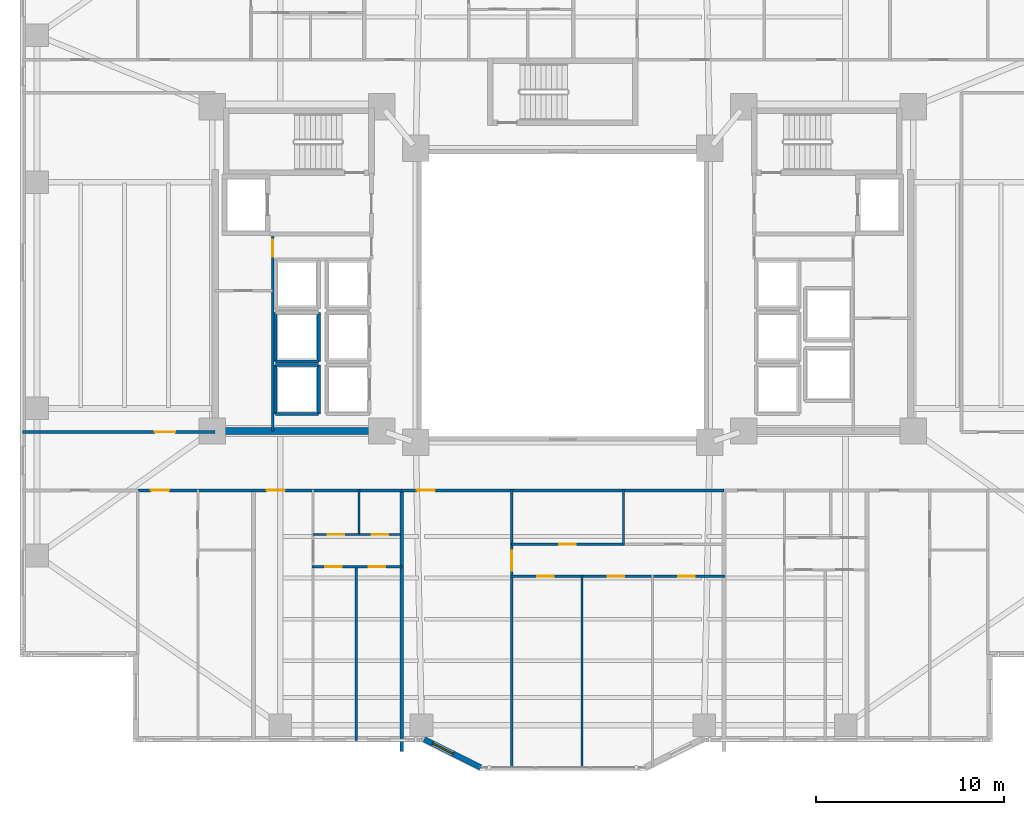
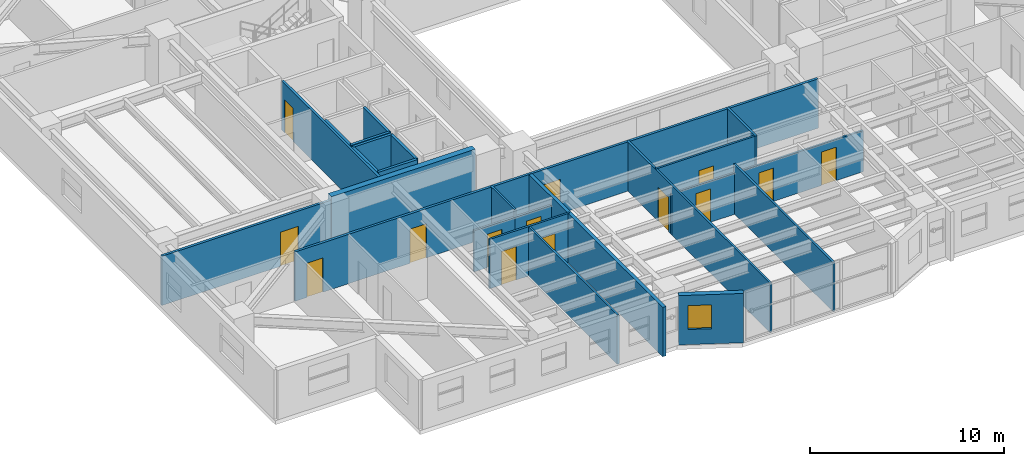
# One storey, part 10 of 21: 24 walls, 14 doors, 1 window, 15 openings.
"""IFC4 building model written with IfcOpenShell, lengths in metres."""

from ifc_helpers import new_model, si_unit, direction, frame, frame_2d, origin, place, context, subcontext, project, spatial, rectangle, extrude, material, layer, layer_set, type_object, element, fill, save


model = new_model("IFC4")

# Units and contexts
model_context = context("Model", 3, precision=1e-05, world=origin(), true_north=direction((0.0, 1.0)))
body_context = subcontext(model_context, "Body", "Model", "MODEL_VIEW")
ifc_project = project(units=[si_unit("LENGTHUNIT", "METRE"), si_unit("AREAUNIT", "SQUARE_METRE"), si_unit("VOLUMEUNIT", "CUBIC_METRE"), si_unit("PLANEANGLEUNIT", "RADIAN"), si_unit("MASSUNIT", "GRAM", prefix="KILO")], contexts=[model_context])

# Site, building, storey
site_placement = place(None, origin())
site = spatial("IfcSite", under=ifc_project, at=site_placement, CompositionType="ELEMENT")
building_placement = place(site_placement, origin())
building = spatial("IfcBuilding", under=site, at=building_placement, Name="Tarnavaz Court Tower", CompositionType="ELEMENT")
storey_placement = place(building_placement, frame((0.0, 0.0, 37.39990234375)))
storey = spatial("IfcBuildingStorey", under=building, at=storey_placement, Name="L09", CompositionType="ELEMENT", Elevation=37.39990234375)

# Wall
ifc_material_1 = material(Name="Concrete C60/75", Category="concrete")
ifc_layer_1 = layer(ifc_material_1, 0.35009765625)
ifc_layer_set_1 = layer_set([ifc_layer_1], Name="Concrete C60/75")
wall_type_1 = type_object("IfcWallType", Name="WL-CORE-350-C60", PredefinedType="SHEAR", material=ifc_layer_set_1)
wall_1_placement = place(storey_placement, frame((-18.625, -7.199951171875, 0.0), z_axis=(0.0, 0.0, 1.0), x_axis=(1.0, 0.0, 0.0)))
element("IfcWall", 1, at=wall_1_placement, inside=storey, type_object=wall_type_1, Name="L09 West Core South Shear Wall 070", PredefinedType="SHEAR", context=body_context, shape_type="SweptSolid", body=[
    extrude(rectangle(XDim=8.550048828125, YDim=0.35009765625, at=frame_2d((4.27490234375, 0.0))), origin(), (0.0, 0.0, 1.0), 3.35009765625),
])

# Wall, opening, window
ifc_material_2 = material(Name="Precast Concrete C40/50", Category="concrete")
ifc_layer_2 = layer(ifc_material_2, 0.300048828125)
ifc_layer_set_2 = layer_set([ifc_layer_2], Name="Precast Concrete C40/50")
wall_type_2 = type_object("IfcWallType", Name="WL-EXT-300", PredefinedType="SOLIDWALL", material=ifc_layer_set_2)
wall_2_placement = place(storey_placement, frame((-4.35009765625, -25.050048828125, 0.0), z_axis=(0.0, 0.0, 1.0), x_axis=(-0.894427191, 0.4472135955, 0.0)))
wall_2 = element("IfcWall", 2, at=wall_2_placement, inside=storey, type_object=wall_type_2, Name="L09 Exterior Terracotta Facade Wall 18", PredefinedType="SOLIDWALL", context=body_context, shape_type="SweptSolid", body=[
    extrude(rectangle(XDim=3.35400390625, YDim=0.300048828125, at=frame_2d((1.677001953125, 0.0))), origin(), (0.0, 0.0, 1.0), 3.10009765625),
])
opening_1_placement = place(wall_2_placement, frame((1.65283203125, 0.0, 0.949951171875)))
opening_1 = element("IfcOpeningElement", 3, at=opening_1_placement, cuts=wall_2, Name="Opening W05", PredefinedType="OPENING", context=body_context, shape_type="SweptSolid", body=[
    extrude(rectangle(XDim=1.199951171875, YDim=1.5, at=frame_2d((0.60009765625, 0.75))), frame((0.0, 0.159912109375, 0.0), z_axis=(0.0, -1.0, 0.0), x_axis=(1.0, 0.0, 0.0)), (0.0, 0.0, 1.0), 0.320068359375),
])
ifc_material_3 = material(Name="Double-Glazed Solar Low-E Glass", Category="glass")
window_type = type_object("IfcWindowType", Name="WN-APT-1200", PartitioningType="SINGLE_PANEL", PredefinedType="WINDOW", material=ifc_material_3)
window_placement = place(opening_1_placement, origin())
window = element("IfcWindow", 4, at=window_placement, inside=storey, type_object=window_type, Name="L09 Flat 07 Living and Dining Room Window", OverallHeight=1.5, OverallWidth=1.199951171875, PartitioningType="SINGLE_PANEL", PredefinedType="WINDOW", context=body_context, shape_type="SweptSolid", body=[
    extrude(rectangle(XDim=1.199951171875, YDim=1.5, at=frame_2d((0.60009765625, 0.75))), frame((0.0, 0.030029296875, 0.0), z_axis=(0.0, -1.0, 0.0), x_axis=(1.0, 0.0, 0.0)), (0.0, 0.0, 1.0), 0.06005859375),
])
fill(opening_1, window)

# Wall, openings, doors
ifc_material_4 = material(Name="Gypsum Fire-Board on Acoustic Metal Stud", Category="masonry")
ifc_layer_3 = layer(ifc_material_4, 0.14990234375)
ifc_layer_set_3 = layer_set([ifc_layer_3], Name="Gypsum Fire-Board on Acoustic Metal Stud")
wall_type_3 = type_object("IfcWallType", Name="WL-FIRE-150", PredefinedType="PARTITIONING", material=ifc_layer_set_3)
wall_3_placement = place(storey_placement, frame((-22.550048828125, -10.35009765625, 0.0), z_axis=(0.0, 0.0, 1.0), x_axis=(1.0, 0.0, 0.0)))
wall_3 = element("IfcWall", 5, at=wall_3_placement, inside=storey, type_object=wall_type_3, Name="L09 SW Corridor Wall 084", PredefinedType="PARTITIONING", context=body_context, shape_type="SweptSolid", body=[
    extrude(rectangle(XDim=14.0, YDim=0.14990234375, at=frame_2d((7.0, 0.0))), origin(), (0.0, 0.0, 1.0), 3.10009765625),
])
opening_2_placement = place(wall_3_placement, frame((0.699951171875, 0.0, 0.0)))
opening_2 = element("IfcOpeningElement", 6, at=opening_2_placement, cuts=wall_3, Name="Opening D06", PredefinedType="OPENING", context=body_context, shape_type="SweptSolid", body=[
    extrude(rectangle(XDim=0.9599609375, YDim=2.14990234375, at=frame_2d((0.47998046875, 1.074951171875))), frame((0.0, 0.0849609375, 0.0), z_axis=(0.0, -1.0, 0.0), x_axis=(1.0, 0.0, 0.0)), (0.0, 0.0, 1.0), 0.169921875),
])
opening_3_placement = place(wall_3_placement, frame((6.837890625, 0.0, 0.0)))
opening_3 = element("IfcOpeningElement", 7, at=opening_3_placement, cuts=wall_3, Name="Opening D06", PredefinedType="OPENING", context=body_context, shape_type="SweptSolid", body=[
    extrude(rectangle(XDim=0.9599609375, YDim=2.14990234375, at=frame_2d((0.47998046875, 1.074951171875))), frame((0.0, 0.0849609375, 0.0), z_axis=(0.0, -1.0, 0.0), x_axis=(1.0, 0.0, 0.0)), (0.0, 0.0, 1.0), 0.169921875),
])
ifc_material_5 = material(Name="Fire-Rated Hardwood Timber Core", Category="wood")
door_type_1 = type_object("IfcDoorType", Name="DR-FD60-950", OperationType="NOTDEFINED", PredefinedType="DOOR", material=ifc_material_5)
door_1_placement = place(opening_2_placement, origin())
door_1 = element("IfcDoor", 8, at=door_1_placement, inside=storey, type_object=door_type_1, Name="L09 Flat 03 Entrance Door", OperationType="SINGLE_SWING_LEFT", OverallHeight=2.14990234375, OverallWidth=0.9599609375, PredefinedType="DOOR", context=body_context, shape_type="SweptSolid", body=[
    extrude(rectangle(XDim=0.9599609375, YDim=2.14990234375, at=frame_2d((0.47998046875, 1.074951171875))), frame((0.0, 0.02490234375, 0.0), z_axis=(0.0, -1.0, 0.0), x_axis=(1.0, 0.0, 0.0)), (0.0, 0.0, 1.0), 0.050048828125),
])
fill(opening_2, door_1)
door_2_placement = place(opening_3_placement, origin())
door_2 = element("IfcDoor", 9, at=door_2_placement, inside=storey, type_object=door_type_1, Name="L09 Flat 04 Entrance Door", OperationType="SINGLE_SWING_RIGHT", OverallHeight=2.14990234375, OverallWidth=0.9599609375, PredefinedType="DOOR", context=body_context, shape_type="SweptSolid", body=[
    extrude(rectangle(XDim=0.9599609375, YDim=2.14990234375, at=frame_2d((0.47998046875, 1.074951171875))), frame((0.0, 0.02490234375, 0.0), z_axis=(0.0, -1.0, 0.0), x_axis=(1.0, 0.0, 0.0)), (0.0, 0.0, 1.0), 0.050048828125),
])
fill(opening_3, door_2)

# Wall, opening, door
wall_4_placement = place(storey_placement, frame((-8.550048828125, -10.35009765625, 0.0), z_axis=(0.0, 0.0, 1.0), x_axis=(1.0, 0.0, 0.0)))
wall_4 = element("IfcWall", 10, at=wall_4_placement, inside=storey, type_object=wall_type_3, Name="L09 South Ring Corridor Wall 085", PredefinedType="PARTITIONING", context=body_context, shape_type="SweptSolid", body=[
    extrude(rectangle(XDim=17.10009765625, YDim=0.14990234375, at=frame_2d((8.550048828125, 0.0))), origin(), (0.0, 0.0, 1.0), 3.10009765625),
])
opening_4_placement = place(wall_4_placement, frame((0.800048828125, 0.0, 0.0)))
opening_4 = element("IfcOpeningElement", 11, at=opening_4_placement, cuts=wall_4, Name="Opening D06", PredefinedType="OPENING", context=body_context, shape_type="SweptSolid", body=[
    extrude(rectangle(XDim=0.9599609375, YDim=2.14990234375, at=frame_2d((0.47998046875, 1.074951171875))), frame((0.0, 0.0849609375, 0.0), z_axis=(0.0, -1.0, 0.0), x_axis=(1.0, 0.0, 0.0)), (0.0, 0.0, 1.0), 0.169921875),
])
door_3_placement = place(opening_4_placement, origin())
door_3 = element("IfcDoor", 12, at=door_3_placement, inside=storey, type_object=door_type_1, Name="L09 Flat 07 Entrance Door", OperationType="SINGLE_SWING_LEFT", OverallHeight=2.14990234375, OverallWidth=0.9599609375, PredefinedType="DOOR", context=body_context, shape_type="SweptSolid", body=[
    extrude(rectangle(XDim=0.9599609375, YDim=2.14990234375, at=frame_2d((0.47998046875, 1.074951171875))), frame((0.0, 0.02490234375, 0.0), z_axis=(0.0, -1.0, 0.0), x_axis=(1.0, 0.0, 0.0)), (0.0, 0.0, 1.0), 0.050048828125),
])
fill(opening_4, door_3)

wall_5_placement = place(storey_placement, frame((-28.679931640625, -7.25, 0.0), z_axis=(0.0, 0.0, 1.0), x_axis=(1.0, 0.0, 0.0)))
wall_5 = element("IfcWall", 13, at=wall_5_placement, inside=storey, type_object=wall_type_3, Name="L09 Interior Partition 133", PredefinedType="PARTITIONING", context=body_context, shape_type="SweptSolid", body=[
    extrude(rectangle(XDim=10.22998046875, YDim=0.14990234375, at=frame_2d((5.114990234375, 0.0))), origin(), (0.0, 0.0, 1.0), 3.10009765625),
])
opening_5_placement = place(wall_5_placement, frame((7.030029296875, 0.0, 0.0)))
opening_5 = element("IfcOpeningElement", 14, at=opening_5_placement, cuts=wall_5, Name="Opening D12", PredefinedType="OPENING", context=body_context, shape_type="SweptSolid", body=[
    extrude(rectangle(XDim=1.080078125, YDim=2.14990234375, at=frame_2d((0.5400390625, 1.074951171875))), frame((0.0, 0.0849609375, 0.0), z_axis=(0.0, -1.0, 0.0), x_axis=(1.0, 0.0, 0.0)), (0.0, 0.0, 1.0), 0.169921875),
])
ifc_material_6 = material(Name="Engineered Oak Timber", Category="wood")
door_type_2 = type_object("IfcDoorType", Name="DR-INT-1100", OperationType="NOTDEFINED", PredefinedType="DOOR", material=ifc_material_6)
door_4_placement = place(opening_5_placement, origin())
door_4 = element("IfcDoor", 15, at=door_4_placement, inside=storey, type_object=door_type_2, Name="L09 West Meeting Lounge Door", OperationType="SINGLE_SWING_RIGHT", OverallHeight=2.14990234375, OverallWidth=1.080078125, PredefinedType="DOOR", context=body_context, shape_type="SweptSolid", body=[
    extrude(rectangle(XDim=1.080078125, YDim=2.14990234375, at=frame_2d((0.5400390625, 1.074951171875))), frame((0.0, 0.02490234375, 0.0), z_axis=(0.0, -1.0, 0.0), x_axis=(1.0, 0.0, 0.0)), (0.0, 0.0, 1.0), 0.050048828125),
])
fill(opening_5, door_4)

# Wall
ifc_material_7 = material(Name="Autoclaved Aerated Concrete Blockwork", Category="masonry")
ifc_layer_4 = layer(ifc_material_7, 0.199951171875)
ifc_layer_set_4 = layer_set([ifc_layer_4], Name="Autoclaved Aerated Concrete Blockwork")
wall_type_4 = type_object("IfcWallType", Name="WL-FIRE-200", PredefinedType="SOLIDWALL", material=ifc_layer_set_4)
wall_6_placement = place(storey_placement, frame((-8.550048828125, -24.2041015625, 0.0), z_axis=(0.0, 0.0, 1.0), x_axis=(0.0, 1.0, 0.0)))
element("IfcWall", 16, at=wall_6_placement, inside=storey, type_object=wall_type_4, Name="L09 Party Wall 124", PredefinedType="SOLIDWALL", context=body_context, shape_type="SweptSolid", body=[
    extrude(rectangle(XDim=13.85400390625, YDim=0.199951171875, at=frame_2d((6.927001953125, 0.0))), origin(), (0.0, 0.0, 1.0), 3.10009765625),
])

# Wall, opening, door
ifc_material_8 = material(Name="Moisture-Resistant Gypsum Board Partition", Category="masonry")
ifc_layer_5 = layer(ifc_material_8, 0.1201171875)
ifc_layer_set_5 = layer_set([ifc_layer_5], Name="Moisture-Resistant Gypsum Board Partition")
wall_type_5 = type_object("IfcWallType", Name="WL-PART-120", PredefinedType="PARTITIONING", material=ifc_layer_set_5)
wall_7_placement = place(storey_placement, frame((-13.251953125, -12.68994140625, 0.0), z_axis=(0.0, 0.0, 1.0), x_axis=(1.0, 0.0, 0.0)))
wall_7 = element("IfcWall", 17, at=wall_7_placement, inside=storey, type_object=wall_type_5, Name="L09 Interior Partition 109", PredefinedType="PARTITIONING", context=body_context, shape_type="SweptSolid", body=[
    extrude(rectangle(XDim=2.433837890625, YDim=0.1201171875, at=frame_2d((1.216796875, 0.0))), origin(), (0.0, 0.0, 1.0), 2.585205078125),
])
opening_6_placement = place(wall_7_placement, frame((0.777099609375, 0.0, 0.0)))
opening_6 = element("IfcOpeningElement", 18, at=opening_6_placement, cuts=wall_7, Name="Opening D14", PredefinedType="OPENING", context=body_context, shape_type="SweptSolid", body=[
    extrude(rectangle(XDim=0.8798828125, YDim=2.10009765625, at=frame_2d((0.43994140625, 1.050048828125))), frame((0.0, 0.070068359375, 0.0), z_axis=(0.0, -1.0, 0.0), x_axis=(1.0, 0.0, 0.0)), (0.0, 0.0, 1.0), 0.14013671875),
])
door_type_3 = type_object("IfcDoorType", Name="DR-INT-900", OperationType="NOTDEFINED", PredefinedType="DOOR", material=ifc_material_6)
door_5_placement = place(opening_6_placement, origin())
door_5 = element("IfcDoor", 19, at=door_5_placement, inside=storey, type_object=door_type_3, Name="L09 Flat 04 Kitchen Door", OperationType="SINGLE_SWING_RIGHT", OverallHeight=2.10009765625, OverallWidth=0.8798828125, PredefinedType="DOOR", context=body_context, shape_type="SweptSolid", body=[
    extrude(rectangle(XDim=0.8798828125, YDim=2.10009765625, at=frame_2d((0.43994140625, 1.050048828125))), frame((0.0, 0.02490234375, 0.0), z_axis=(0.0, -1.0, 0.0), x_axis=(1.0, 0.0, 0.0)), (0.0, 0.0, 1.0), 0.050048828125),
])
fill(opening_6, door_5)

wall_8_placement = place(storey_placement, frame((-10.818115234375, -12.68994140625, 0.0), z_axis=(0.0, 0.0, 1.0), x_axis=(1.0, 0.0, 0.0)))
wall_8 = element("IfcWall", 20, at=wall_8_placement, inside=storey, type_object=wall_type_5, Name="L09 Interior Partition 110", PredefinedType="PARTITIONING", context=body_context, shape_type="SweptSolid", body=[
    extrude(rectangle(XDim=2.218017578125, YDim=0.1201171875, at=frame_2d((1.10888671875, 0.0))), origin(), (0.0, 0.0, 1.0), 2.585205078125),
])
opening_7_placement = place(wall_8_placement, frame((0.6689453125, 0.0, 0.0)))
opening_7 = element("IfcOpeningElement", 21, at=opening_7_placement, cuts=wall_8, Name="Opening D14", PredefinedType="OPENING", context=body_context, shape_type="SweptSolid", body=[
    extrude(rectangle(XDim=0.8798828125, YDim=2.10009765625, at=frame_2d((0.43994140625, 1.050048828125))), frame((0.0, 0.070068359375, 0.0), z_axis=(0.0, -1.0, 0.0), x_axis=(1.0, 0.0, 0.0)), (0.0, 0.0, 1.0), 0.14013671875),
])
door_6_placement = place(opening_7_placement, origin())
door_6 = element("IfcDoor", 22, at=door_6_placement, inside=storey, type_object=door_type_3, Name="L09 Flat 04 Bathroom Door", OperationType="SINGLE_SWING_LEFT", OverallHeight=2.10009765625, OverallWidth=0.8798828125, PredefinedType="DOOR", context=body_context, shape_type="SweptSolid", body=[
    extrude(rectangle(XDim=0.8798828125, YDim=2.10009765625, at=frame_2d((0.43994140625, 1.050048828125))), frame((0.0, 0.02490234375, 0.0), z_axis=(0.0, -1.0, 0.0), x_axis=(1.0, 0.0, 0.0)), (0.0, 0.0, 1.0), 0.050048828125),
])
fill(opening_7, door_6)

# Wall, openings, doors
wall_9_placement = place(storey_placement, frame((-13.31201171875, -14.39990234375, 0.0), z_axis=(0.0, 0.0, 1.0), x_axis=(1.0, 0.0, 0.0)))
wall_9 = element("IfcWall", 23, at=wall_9_placement, inside=storey, type_object=wall_type_5, Name="L09 Interior Partition 111", PredefinedType="PARTITIONING", context=body_context, shape_type="SweptSolid", body=[
    extrude(rectangle(XDim=4.77197265625, YDim=0.1201171875, at=frame_2d((2.385986328125, 0.0))), origin(), (0.0, 0.0, 1.0), 3.10009765625),
])
opening_8_placement = place(wall_9_placement, frame((0.7080078125, 0.0, 0.0)))
opening_8 = element("IfcOpeningElement", 24, at=opening_8_placement, cuts=wall_9, Name="Opening D14", PredefinedType="OPENING", context=body_context, shape_type="SweptSolid", body=[
    extrude(rectangle(XDim=0.8798828125, YDim=2.10009765625, at=frame_2d((0.43994140625, 1.050048828125))), frame((0.0, 0.070068359375, 0.0), z_axis=(0.0, -1.0, 0.0), x_axis=(1.0, 0.0, 0.0)), (0.0, 0.0, 1.0), 0.14013671875),
])
opening_9_placement = place(wall_9_placement, frame((3.00390625, 0.0, 0.0)))
opening_9 = element("IfcOpeningElement", 25, at=opening_9_placement, cuts=wall_9, Name="Opening D14", PredefinedType="OPENING", context=body_context, shape_type="SweptSolid", body=[
    extrude(rectangle(XDim=0.8798828125, YDim=2.10009765625, at=frame_2d((0.43994140625, 1.050048828125))), frame((0.0, 0.070068359375, 0.0), z_axis=(0.0, -1.0, 0.0), x_axis=(1.0, 0.0, 0.0)), (0.0, 0.0, 1.0), 0.14013671875),
])
door_7_placement = place(opening_8_placement, origin())
door_7 = element("IfcDoor", 26, at=door_7_placement, inside=storey, type_object=door_type_3, Name="L09 Flat 04 Bedroom 1 Door", OperationType="SINGLE_SWING_RIGHT", OverallHeight=2.10009765625, OverallWidth=0.8798828125, PredefinedType="DOOR", context=body_context, shape_type="SweptSolid", body=[
    extrude(rectangle(XDim=0.8798828125, YDim=2.10009765625, at=frame_2d((0.43994140625, 1.050048828125))), frame((0.0, 0.02490234375, 0.0), z_axis=(0.0, -1.0, 0.0), x_axis=(1.0, 0.0, 0.0)), (0.0, 0.0, 1.0), 0.050048828125),
])
fill(opening_8, door_7)
door_8_placement = place(opening_9_placement, origin())
door_8 = element("IfcDoor", 27, at=door_8_placement, inside=storey, type_object=door_type_3, Name="L09 Flat 04 Bedroom 2 Door", OperationType="SINGLE_SWING_LEFT", OverallHeight=2.10009765625, OverallWidth=0.8798828125, PredefinedType="DOOR", context=body_context, shape_type="SweptSolid", body=[
    extrude(rectangle(XDim=0.8798828125, YDim=2.10009765625, at=frame_2d((0.43994140625, 1.050048828125))), frame((0.0, 0.02490234375, 0.0), z_axis=(0.0, -1.0, 0.0), x_axis=(1.0, 0.0, 0.0)), (0.0, 0.0, 1.0), 0.050048828125),
])
fill(opening_9, door_8)

# Walls
wall_10_placement = place(storey_placement, frame((-10.818115234375, -12.75, 0.0), z_axis=(0.0, 0.0, 1.0), x_axis=(0.0, 1.0, 0.0)))
element("IfcWall", 28, at=wall_10_placement, inside=storey, type_object=wall_type_5, Name="L09 Interior Partition 112", PredefinedType="PARTITIONING", context=body_context, shape_type="SweptSolid", body=[
    extrude(rectangle(XDim=2.4599609375, YDim=0.1201171875, at=frame_2d((1.22998046875, 0.0))), origin(), (0.0, 0.0, 1.0), 3.10009765625),
])
wall_11_placement = place(storey_placement, frame((-10.9560546875, -23.611083984375, 0.0), z_axis=(0.0, 0.0, 1.0), x_axis=(0.0, 1.0, 0.0)))
element("IfcWall", 29, at=wall_11_placement, inside=storey, type_object=wall_type_5, Name="L09 Interior Partition 113", PredefinedType="PARTITIONING", context=body_context, shape_type="SweptSolid", body=[
    extrude(rectangle(XDim=9.27099609375, YDim=0.1201171875, at=frame_2d((4.635498046875, 0.0))), origin(), (0.0, 0.0, 1.0), 3.10009765625),
])

# Wall, opening, door
wall_12_placement = place(storey_placement, frame((-2.717041015625, -25.080078125, 0.0), z_axis=(0.0, 0.0, 1.0), x_axis=(0.0, 1.0, 0.0)))
wall_12 = element("IfcWall", 30, at=wall_12_placement, inside=storey, type_object=wall_type_5, Name="L09 Interior Partition 126", PredefinedType="PARTITIONING", context=body_context, shape_type="SweptSolid", body=[
    extrude(rectangle(XDim=14.7900390625, YDim=0.1201171875, at=frame_2d((7.39501953125, 0.0))), origin(), (0.0, 0.0, 1.0), 3.10009765625),
])
opening_10_placement = place(wall_12_placement, frame((10.455078125, 0.0, 0.0)))
opening_10 = element("IfcOpeningElement", 31, at=opening_10_placement, cuts=wall_12, Name="Opening D12", PredefinedType="OPENING", context=body_context, shape_type="SweptSolid", body=[
    extrude(rectangle(XDim=1.080078125, YDim=2.14990234375, at=frame_2d((0.5400390625, 1.074951171875))), frame((0.0, 0.070068359375, 0.0), z_axis=(0.0, -1.0, 0.0), x_axis=(1.0, 0.0, 0.0)), (0.0, 0.0, 1.0), 0.14013671875),
])
door_9_placement = place(opening_10_placement, origin())
door_9 = element("IfcDoor", 32, at=door_9_placement, inside=storey, type_object=door_type_2, Name="L09 Flat 07 Foyer Door", OperationType="SINGLE_SWING_RIGHT", OverallHeight=2.14990234375, OverallWidth=1.080078125, PredefinedType="DOOR", context=body_context, shape_type="SweptSolid", body=[
    extrude(rectangle(XDim=1.080078125, YDim=2.14990234375, at=frame_2d((0.5400390625, 1.074951171875))), frame((0.0, 0.02490234375, 0.0), z_axis=(0.0, -1.0, 0.0), x_axis=(1.0, 0.0, 0.0)), (0.0, 0.0, 1.0), 0.050048828125),
])
fill(opening_10, door_9)

wall_13_placement = place(storey_placement, frame((-2.717041015625, -13.199951171875, 0.0), z_axis=(0.0, 0.0, 1.0), x_axis=(1.0, 0.0, 0.0)))
wall_13 = element("IfcWall", 33, at=wall_13_placement, inside=storey, type_object=wall_type_5, Name="L09 Interior Partition 127", PredefinedType="PARTITIONING", context=body_context, shape_type="SweptSolid", body=[
    extrude(rectangle(XDim=5.93994140625, YDim=0.1201171875, at=frame_2d((2.969970703125, 0.0))), origin(), (0.0, 0.0, 1.0), 3.10009765625),
])
opening_11_placement = place(wall_13_placement, frame((2.530029296875, 0.0, 0.0)))
opening_11 = element("IfcOpeningElement", 34, at=opening_11_placement, cuts=wall_13, Name="Opening D14", PredefinedType="OPENING", context=body_context, shape_type="SweptSolid", body=[
    extrude(rectangle(XDim=0.8798828125, YDim=2.10009765625, at=frame_2d((0.43994140625, 1.050048828125))), frame((0.0, 0.070068359375, 0.0), z_axis=(0.0, -1.0, 0.0), x_axis=(1.0, 0.0, 0.0)), (0.0, 0.0, 1.0), 0.14013671875),
])
door_10_placement = place(opening_11_placement, origin())
door_10 = element("IfcDoor", 35, at=door_10_placement, inside=storey, type_object=door_type_3, Name="L09 Flat 07 Kitchen Door", OperationType="SINGLE_SWING_LEFT", OverallHeight=2.10009765625, OverallWidth=0.8798828125, PredefinedType="DOOR", context=body_context, shape_type="SweptSolid", body=[
    extrude(rectangle(XDim=0.8798828125, YDim=2.10009765625, at=frame_2d((0.43994140625, 1.050048828125))), frame((0.0, 0.02490234375, 0.0), z_axis=(0.0, -1.0, 0.0), x_axis=(1.0, 0.0, 0.0)), (0.0, 0.0, 1.0), 0.050048828125),
])
fill(opening_11, door_10)

# Wall, openings, doors
wall_14_placement = place(storey_placement, frame((-2.777099609375, -14.909912109375, 0.0), z_axis=(0.0, 0.0, 1.0), x_axis=(1.0, 0.0, 0.0)))
wall_14 = element("IfcWall", 36, at=wall_14_placement, inside=storey, type_object=wall_type_5, Name="L09 Interior Partition 129", PredefinedType="PARTITIONING", context=body_context, shape_type="SweptSolid", body=[
    extrude(rectangle(XDim=11.38720703125, YDim=0.1201171875, at=frame_2d((5.693603515625, 0.0))), origin(), (0.0, 0.0, 1.0), 2.585205078125),
])
opening_12_placement = place(wall_14_placement, frame((1.427978515625, 0.0, 0.0)))
opening_12 = element("IfcOpeningElement", 37, at=opening_12_placement, cuts=wall_14, Name="Opening D14", PredefinedType="OPENING", context=body_context, shape_type="SweptSolid", body=[
    extrude(rectangle(XDim=0.8798828125, YDim=2.10009765625, at=frame_2d((0.43994140625, 1.050048828125))), frame((0.0, 0.070068359375, 0.0), z_axis=(0.0, -1.0, 0.0), x_axis=(1.0, 0.0, 0.0)), (0.0, 0.0, 1.0), 0.14013671875),
])
opening_13_placement = place(wall_14_placement, frame((5.1640625, 0.0, 0.0)))
opening_13 = element("IfcOpeningElement", 38, at=opening_13_placement, cuts=wall_14, Name="Opening D14", PredefinedType="OPENING", context=body_context, shape_type="SweptSolid", body=[
    extrude(rectangle(XDim=0.8798828125, YDim=2.10009765625, at=frame_2d((0.43994140625, 1.050048828125))), frame((0.0, 0.070068359375, 0.0), z_axis=(0.0, -1.0, 0.0), x_axis=(1.0, 0.0, 0.0)), (0.0, 0.0, 1.0), 0.14013671875),
])
opening_14_placement = place(wall_14_placement, frame((8.89892578125, 0.0, 0.0)))
opening_14 = element("IfcOpeningElement", 39, at=opening_14_placement, cuts=wall_14, Name="Opening D14", PredefinedType="OPENING", context=body_context, shape_type="SweptSolid", body=[
    extrude(rectangle(XDim=0.8798828125, YDim=2.10009765625, at=frame_2d((0.43994140625, 1.050048828125))), frame((0.0, 0.070068359375, 0.0), z_axis=(0.0, -1.0, 0.0), x_axis=(1.0, 0.0, 0.0)), (0.0, 0.0, 1.0), 0.14013671875),
])
door_11_placement = place(opening_12_placement, origin())
door_11 = element("IfcDoor", 40, at=door_11_placement, inside=storey, type_object=door_type_3, Name="L09 Flat 07 Bedroom 1 Door", OperationType="SINGLE_SWING_LEFT", OverallHeight=2.10009765625, OverallWidth=0.8798828125, PredefinedType="DOOR", context=body_context, shape_type="SweptSolid", body=[
    extrude(rectangle(XDim=0.8798828125, YDim=2.10009765625, at=frame_2d((0.43994140625, 1.050048828125))), frame((0.0, 0.02490234375, 0.0), z_axis=(0.0, -1.0, 0.0), x_axis=(1.0, 0.0, 0.0)), (0.0, 0.0, 1.0), 0.050048828125),
])
fill(opening_12, door_11)
door_12_placement = place(opening_13_placement, origin())
door_12 = element("IfcDoor", 41, at=door_12_placement, inside=storey, type_object=door_type_3, Name="L09 Flat 07 Bedroom 2 Door", OperationType="SINGLE_SWING_RIGHT", OverallHeight=2.10009765625, OverallWidth=0.8798828125, PredefinedType="DOOR", context=body_context, shape_type="SweptSolid", body=[
    extrude(rectangle(XDim=0.8798828125, YDim=2.10009765625, at=frame_2d((0.43994140625, 1.050048828125))), frame((0.0, 0.02490234375, 0.0), z_axis=(0.0, -1.0, 0.0), x_axis=(1.0, 0.0, 0.0)), (0.0, 0.0, 1.0), 0.050048828125),
])
fill(opening_13, door_12)
door_13_placement = place(opening_14_placement, origin())
door_13 = element("IfcDoor", 42, at=door_13_placement, inside=storey, type_object=door_type_3, Name="L09 Flat 07 Bedroom 3 Door", OperationType="SINGLE_SWING_LEFT", OverallHeight=2.10009765625, OverallWidth=0.8798828125, PredefinedType="DOOR", context=body_context, shape_type="SweptSolid", body=[
    extrude(rectangle(XDim=0.8798828125, YDim=2.10009765625, at=frame_2d((0.43994140625, 1.050048828125))), frame((0.0, 0.02490234375, 0.0), z_axis=(0.0, -1.0, 0.0), x_axis=(1.0, 0.0, 0.0)), (0.0, 0.0, 1.0), 0.050048828125),
])
fill(opening_14, door_13)

# Walls
wall_15_placement = place(storey_placement, frame((3.222900390625, -13.260009765625, 0.0), z_axis=(0.0, 0.0, 1.0), x_axis=(0.0, 1.0, 0.0)))
element("IfcWall", 43, at=wall_15_placement, inside=storey, type_object=wall_type_5, Name="L09 Interior Partition 130", PredefinedType="PARTITIONING", context=body_context, shape_type="SweptSolid", body=[
    extrude(rectangle(XDim=2.969970703125, YDim=0.1201171875, at=frame_2d((1.48486328125, 0.0))), origin(), (0.0, 0.0, 1.0), 3.10009765625),
])
wall_16_placement = place(storey_placement, frame((1.01904296875, -25.080078125, 0.0), z_axis=(0.0, 0.0, 1.0), x_axis=(0.0, 1.0, 0.0)))
element("IfcWall", 44, at=wall_16_placement, inside=storey, type_object=wall_type_5, Name="L09 Interior Partition 131", PredefinedType="PARTITIONING", context=body_context, shape_type="SweptSolid", body=[
    extrude(rectangle(XDim=10.22998046875, YDim=0.1201171875, at=frame_2d((5.114990234375, 0.0))), origin(), (0.0, 0.0, 1.0), 3.10009765625),
])

# Wall, opening, door
ifc_material_9 = material(Name="Gypsum Plasterboard Acoustic Partition", Category="masonry")
ifc_layer_6 = layer(ifc_material_9, 0.139892578125)
ifc_layer_set_6 = layer_set([ifc_layer_6], Name="Gypsum Plasterboard Acoustic Partition")
wall_type_6 = type_object("IfcWallType", Name="WL-PART-150", PredefinedType="PARTITIONING", material=ifc_layer_set_6)
wall_17_placement = place(storey_placement, frame((-15.39990234375, -7.199951171875, 0.0), z_axis=(0.0, 0.0, 1.0), x_axis=(0.0, 1.0, 0.0)))
wall_17 = element("IfcWall", 45, at=wall_17_placement, inside=storey, type_object=wall_type_6, Name="L09 Interior Partition 075", PredefinedType="PARTITIONING", context=body_context, shape_type="SweptSolid", body=[
    extrude(rectangle(XDim=10.449951171875, YDim=0.139892578125, at=frame_2d((5.22509765625, 0.0))), origin(), (0.0, 0.0, 1.0), 3.10009765625),
])
opening_15_placement = place(wall_17_placement, frame((9.25, 0.0, 0.0)))
opening_15 = element("IfcOpeningElement", 46, at=opening_15_placement, cuts=wall_17, Name="Opening D09", PredefinedType="OPENING", context=body_context, shape_type="SweptSolid", body=[
    extrude(rectangle(XDim=0.89990234375, YDim=2.080078125, at=frame_2d((0.449951171875, 1.0400390625))), frame((0.0, 0.079833984375, 0.0), z_axis=(0.0, -1.0, 0.0), x_axis=(1.0, 0.0, 0.0)), (0.0, 0.0, 1.0), 0.159912109375),
])
door_type_4 = type_object("IfcDoorType", Name="DR-FD30-900", OperationType="NOTDEFINED", PredefinedType="DOOR", material=ifc_material_5)
door_14_placement = place(opening_15_placement, origin())
door_14 = element("IfcDoor", 47, at=door_14_placement, inside=storey, type_object=door_type_4, Name="L09 West Data Room Door", OperationType="SINGLE_SWING_RIGHT", OverallHeight=2.080078125, OverallWidth=0.89990234375, PredefinedType="DOOR", context=body_context, shape_type="SweptSolid", body=[
    extrude(rectangle(XDim=0.89990234375, YDim=2.080078125, at=frame_2d((0.449951171875, 1.0400390625))), frame((0.0, 0.02490234375, 0.0), z_axis=(0.0, -1.0, 0.0), x_axis=(1.0, 0.0, 0.0)), (0.0, 0.0, 1.0), 0.050048828125),
])
fill(opening_15, door_14)

# Walls
ifc_layer_7 = layer(ifc_material_7, 0.159912109375)
ifc_layer_set_7 = layer_set([ifc_layer_7], Name="Autoclaved Aerated Concrete Blockwork")
wall_type_7 = type_object("IfcWallType", Name="WL-SHAFT-150", PredefinedType="SOLIDWALL", material=ifc_layer_set_7)
for number, where, z_axis, x_axis, name in (
    (48, (-15.25, -6.300048828125, 0.0), (0.0, 0.0, 1.0), (0.0, 1.0, 0.0), "L09 Lift PL-H1 Shaft Wall 033"),
    (49, (-12.949951171875, -6.300048828125, 0.0), (0.0, 0.0, 1.0), (0.0, 1.0, 0.0), "L09 Lift PL-H1 Shaft Wall 034"),
):
    element("IfcWall", number, at=place(storey_placement, frame(where, z_axis=z_axis, x_axis=x_axis)), inside=storey, type_object=wall_type_7, Name=name, PredefinedType="SOLIDWALL", context=body_context, shape_type="SweptSolid", body=[
        extrude(rectangle(XDim=2.60009765625, YDim=0.159912109375, at=frame_2d((1.300048828125, 0.0))), origin(), (0.0, 0.0, 1.0), 3.10009765625),
    ])
for number, where, z_axis, x_axis, name in (
    (50, (-15.25, -6.300048828125, 0.0), (0.0, 0.0, 1.0), (1.0, 0.0, 0.0), "L09 Lift PL-H1 Shaft Wall 035"),
    (51, (-15.25, -3.699951171875, 0.0), (0.0, 0.0, 1.0), (1.0, 0.0, 0.0), "L09 Lift PL-H1 Shaft Wall 036"),
):
    element("IfcWall", number, at=place(storey_placement, frame(where, z_axis=z_axis, x_axis=x_axis)), inside=storey, type_object=wall_type_7, Name=name, PredefinedType="SOLIDWALL", context=body_context, shape_type="SweptSolid", body=[
        extrude(rectangle(XDim=2.300048828125, YDim=0.159912109375, at=frame_2d((1.14990234375, 0.0))), origin(), (0.0, 0.0, 1.0), 3.10009765625),
    ])
for number, where, z_axis, x_axis, name in (
    (52, (-15.25, -3.5, 0.0), (0.0, 0.0, 1.0), (0.0, 1.0, 0.0), "L09 Lift PL-H2 Shaft Wall 037"),
    (53, (-12.949951171875, -3.5, 0.0), (0.0, 0.0, 1.0), (0.0, 1.0, 0.0), "L09 Lift PL-H2 Shaft Wall 038"),
):
    element("IfcWall", number, at=place(storey_placement, frame(where, z_axis=z_axis, x_axis=x_axis)), inside=storey, type_object=wall_type_7, Name=name, PredefinedType="SOLIDWALL", context=body_context, shape_type="SweptSolid", body=[
        extrude(rectangle(XDim=2.60009765625, YDim=0.159912109375, at=frame_2d((1.300048828125, 0.0))), origin(), (0.0, 0.0, 1.0), 3.10009765625),
    ])
wall_18_placement = place(storey_placement, frame((-15.25, -3.5, 0.0), z_axis=(0.0, 0.0, 1.0), x_axis=(1.0, 0.0, 0.0)))
element("IfcWall", 54, at=wall_18_placement, inside=storey, type_object=wall_type_7, Name="L09 Lift PL-H2 Shaft Wall 039", PredefinedType="SOLIDWALL", context=body_context, shape_type="SweptSolid", body=[
    extrude(rectangle(XDim=2.300048828125, YDim=0.159912109375, at=frame_2d((1.14990234375, 0.0))), origin(), (0.0, 0.0, 1.0), 3.10009765625),
])

save(model, "model.ifc")
